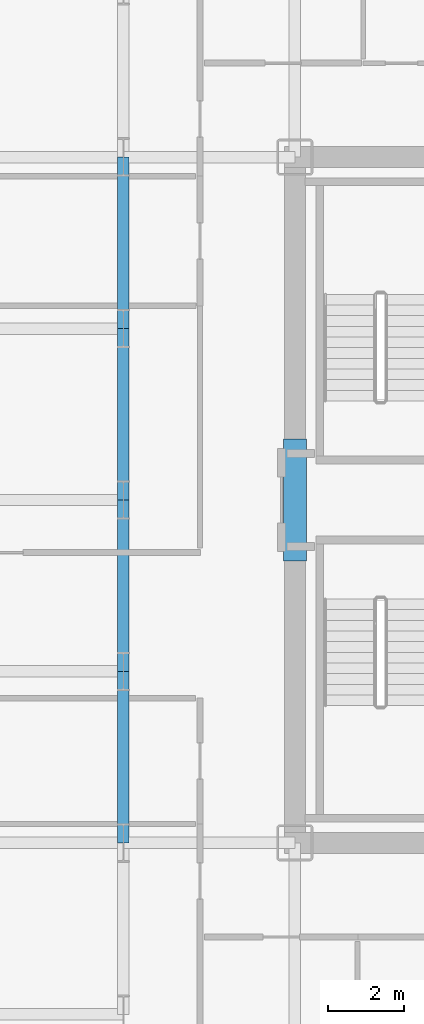
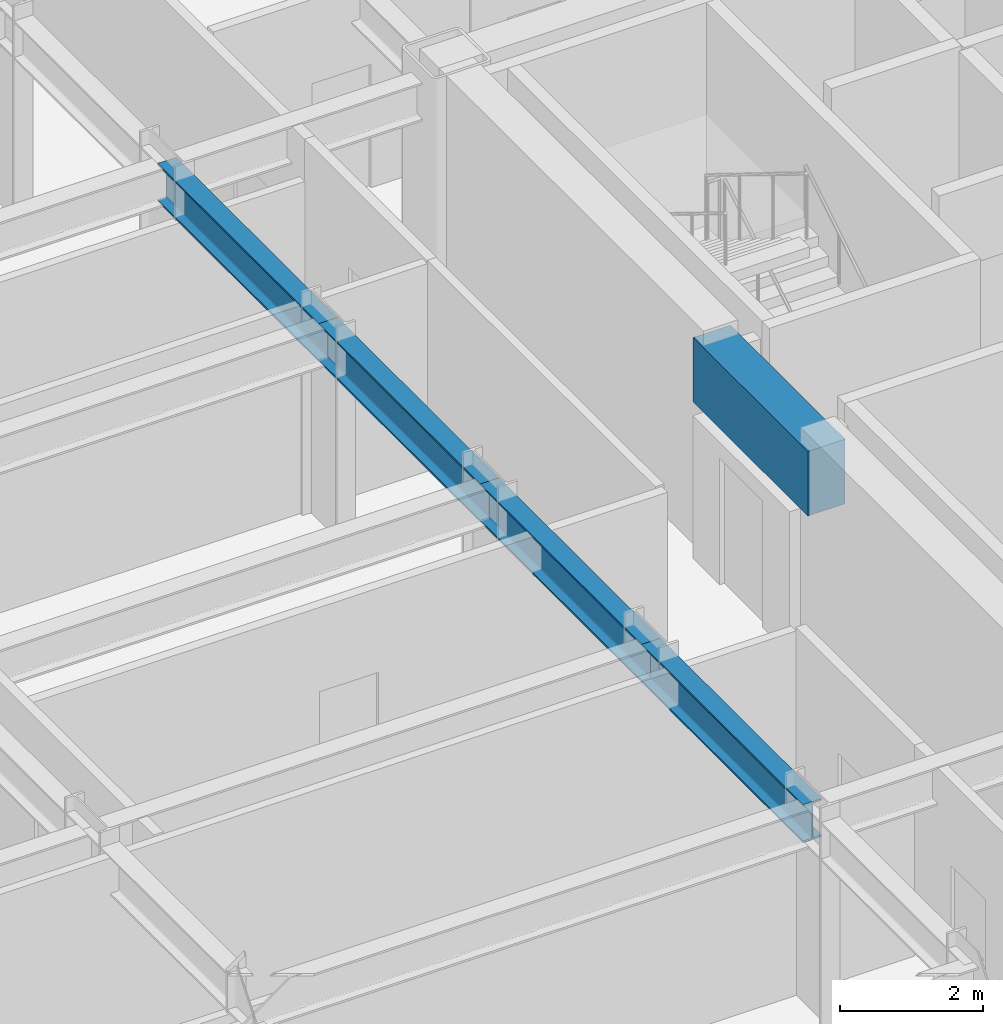
# One storey, part 7 of 29: 5 beams.
"""IFC4 building model written with IfcOpenShell, lengths in metres."""

from ifc_helpers import new_model, si_unit, direction, frame, origin, origin_2d, place, context, subcontext, project, spatial, rectangle, i_section, extrude, source, transform, mapped, material, material_profile, profile_set, type_object, element, save


model = new_model("IFC4")

# Units and contexts
model_context = context("Model", 3, precision=1e-05, world=origin(), true_north=direction((0.0, 1.0)))
body_context = subcontext(model_context, "Body", "Model", "MODEL_VIEW")
ifc_project = project(units=[si_unit("LENGTHUNIT", "METRE"), si_unit("AREAUNIT", "SQUARE_METRE"), si_unit("VOLUMEUNIT", "CUBIC_METRE"), si_unit("PLANEANGLEUNIT", "RADIAN"), si_unit("MASSUNIT", "GRAM", prefix="KILO")], contexts=[model_context])

# Site, building, storey
site_placement = place(None, origin())
site = spatial("IfcSite", under=ifc_project, at=site_placement, CompositionType="ELEMENT")
building_placement = place(site_placement, origin())
building = spatial("IfcBuilding", under=site, at=building_placement, Name="Nefas-Gora Pilgrimage Tower", CompositionType="ELEMENT")
storey_placement = place(building_placement, frame((0.0, 0.0, 113.60009765625)))
storey = spatial("IfcBuildingStorey", under=building, at=storey_placement, Name="L27", CompositionType="ELEMENT", Elevation=113.60009765625)

# Beams
ifc_material_1 = material(Name="Concrete C60/75", Category="concrete")
ifc_material_profile_1 = material_profile(ifc_material_1, rectangle(XDim=0.60009765625, YDim=1.10009765625, at=origin_2d()), Name="RC 600x1100")
ifc_profile_set_1 = profile_set([ifc_material_profile_1], Name="Concrete C60/75")
beam_type_1 = type_object("IfcBeamType", Name="BM-LIN-RC1100", PredefinedType="LINTEL", material=ifc_profile_set_1)
shared_shape_1 = source(origin(), body_context, "Body", "SweptSolid", [
    extrude(rectangle(XDim=0.60009765625, YDim=1.10009765625, at=origin_2d()), origin(), (0.0, 0.0, 1.0), 3.2001953125),
])
beam_placement = place(storey_placement, frame((-11.25, -1.60009765625, 3.0), z_axis=(0.0, 1.0, 0.0), x_axis=(-1.0, 0.0, 0.0)))
element("IfcBeam", 1, at=beam_placement, inside=storey, type_object=beam_type_1, Name="L27 Core Coupling Lintel Beam W", PredefinedType="LINTEL", context=body_context, shape_type="MappedRepresentation", body=[
    mapped(shared_shape_1, transform((0.0, 0.0, 0.0), x_axis=(1.0, 0.0, 0.0), y_axis=(0.0, 1.0, 0.0), z_axis=(0.0, 0.0, 1.0), scale=1.0)),
])
ifc_material_2 = material(Name="Steel S355", Category="steel")
ifc_material_profile_2 = material_profile(ifc_material_2, i_section(OverallWidth=0.300048828125, OverallDepth=0.64990234375, WebThickness=0.01611328125, FlangeThickness=0.031005859375, FilletRadius=0.027099609375, at=origin_2d()), Name="HEB 650")
ifc_profile_set_2 = profile_set([ifc_material_profile_2], Name="Steel S355")
beam_type_2 = type_object("IfcBeamType", Name="BM-GIR-HEB650", PredefinedType="BEAM", material=ifc_profile_set_2)
shared_shape_2 = source(origin(), body_context, "Body", "SweptSolid", [
    extrude(i_section(OverallWidth=0.300048828125, OverallDepth=0.64990234375, WebThickness=0.01611328125, FlangeThickness=0.031005859375, FilletRadius=0.027099609375, at=origin_2d()), origin(), (0.0, 0.0, 1.0), 4.5),
])
for number, where, z_axis, x_axis, name in (
    (2, (-15.75, -9.0, 3.224853515625), (0.0, 1.0, 0.0), (-1.0, 0.0, 0.0), "L27 G-03 beam"),
    (3, (-15.75, -4.5, 3.224853515625), (0.0, 1.0, 0.0), (-1.0, 0.0, 0.0), "L27 G-03 beam"),
    (4, (-15.75, 0.0, 3.224853515625), (0.0, 1.0, 0.0), (-1.0, 0.0, 0.0), "L27 G-03 beam"),
    (5, (-15.75, 4.5, 3.224853515625), (0.0, 1.0, 0.0), (-1.0, 0.0, 0.0), "L27 G-03 beam"),
):
    element("IfcBeam", number, at=place(storey_placement, frame(where, z_axis=z_axis, x_axis=x_axis)), inside=storey, type_object=beam_type_2, Name=name, PredefinedType="BEAM", context=body_context, shape_type="MappedRepresentation", body=[
        mapped(shared_shape_2, transform((0.0, 0.0, 0.0), x_axis=(1.0, 0.0, 0.0), y_axis=(0.0, 1.0, 0.0), z_axis=(0.0, 0.0, 1.0), scale=1.0)),
    ])

save(model, "model.ifc")
